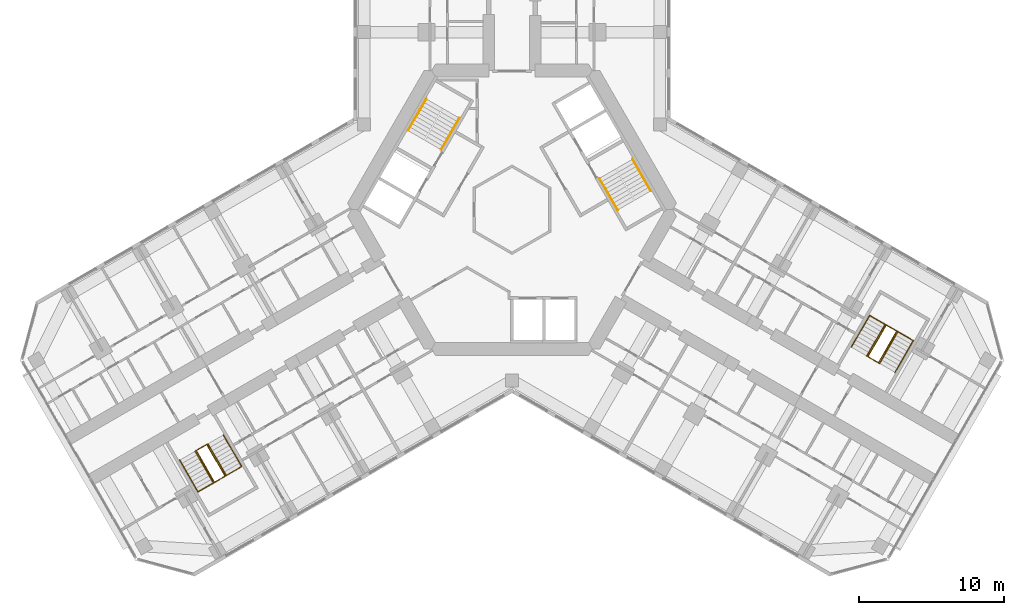
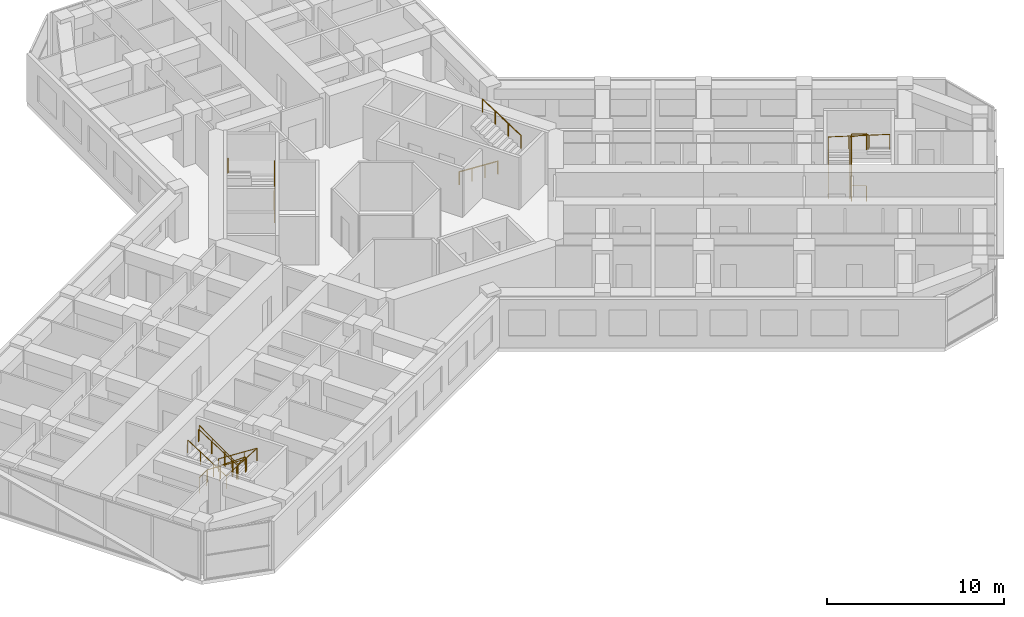
# One storey, part 19 of 19: 10 railings.
"""IFC4 building model written with IfcOpenShell, lengths in metres."""

from ifc_helpers import new_model, si_unit, direction, frame, origin, origin_2d, place, context, subcontext, project, spatial, circle, extrude, material, type_object, element, save


model = new_model("IFC4")

# Units and contexts
model_context = context("Model", 3, precision=1e-05, world=origin(), true_north=direction((0.0, 1.0)))
body_context = subcontext(model_context, "Body", "Model", "MODEL_VIEW")
ifc_project = project(units=[si_unit("LENGTHUNIT", "METRE"), si_unit("AREAUNIT", "SQUARE_METRE"), si_unit("VOLUMEUNIT", "CUBIC_METRE"), si_unit("PLANEANGLEUNIT", "RADIAN"), si_unit("MASSUNIT", "GRAM", prefix="KILO")], contexts=[model_context])

# Site, building, storey
site_placement = place(None, origin())
site = spatial("IfcSite", under=ifc_project, at=site_placement, CompositionType="ELEMENT")
building_placement = place(site_placement, origin())
building = spatial("IfcBuilding", under=site, at=building_placement, Name="Kosmar Iwan School Tower", CompositionType="ELEMENT")
storey_placement = place(building_placement, frame((0.0, 0.0, 141.800048828125)))
storey = spatial("IfcBuildingStorey", under=building, at=storey_placement, Name="L35", CompositionType="ELEMENT", Elevation=141.800048828125)

# Railings
ifc_material_1 = material(Name="Black steel", Category="steel")
railing_type_1 = type_object("IfcRailingType", Name="Stair handrail 900", PredefinedType="HANDRAIL", material=ifc_material_1)
railing_1_placement = place(storey_placement, frame((-4.89453125, 4.142333984375, 0.179931640625)))
element("IfcRailing", 1, at=railing_1_placement, inside=storey, type_object=railing_type_1, Name="Handrail ST2 flight 1", PredefinedType="HANDRAIL", context=body_context, shape_type="SweptSolid", body=[
    extrude(circle(Radius=0.02392578125, at=origin_2d()), frame((0.0, 0.0, 0.8759765625), z_axis=(0.420584145978, 0.728463801763, 0.540785970299), x_axis=(-0.866022637375, 0.500004791531, 0.0)), (0.0, 0.0, 1.0), 2.995849609375),
    extrude(circle(Radius=0.02099609375, at=origin_2d()), origin(), (0.0, 0.0, 1.0), 0.851806640625),
    extrude(circle(Radius=0.02099609375, at=origin_2d()), frame((0.419921875, 0.7275390625, 0.5400390625)), (0.0, 0.0, 1.0), 0.851806640625),
    extrude(circle(Radius=0.02099609375, at=origin_2d()), frame((0.840087890625, 1.454833984375, 1.080078125)), (0.0, 0.0, 1.0), 0.851806640625),
    extrude(circle(Radius=0.02099609375, at=origin_2d()), frame((1.260009765625, 2.182373046875, 1.6201171875)), (0.0, 0.0, 1.0), 0.851806640625),
])
railing_2_placement = place(storey_placement, frame((-5.912353515625, 7.6396484375, 1.97998046875)))
element("IfcRailing", 2, at=railing_2_placement, inside=storey, type_object=railing_type_1, Name="Handrail ST2 flight 2", PredefinedType="HANDRAIL", context=body_context, shape_type="SweptSolid", body=[
    extrude(circle(Radius=0.02392578125, at=origin_2d()), frame((0.0, 0.0, 0.8759765625), z_axis=(-0.42060268101, -0.72849590497, 0.54072830624), x_axis=(0.866022637375, -0.500004791531, 0.0)), (0.0, 0.0, 1.0), 2.99560546875),
    extrude(circle(Radius=0.02099609375, at=origin_2d()), origin(), (0.0, 0.0, 1.0), 0.851806640625),
    extrude(circle(Radius=0.02099609375, at=origin_2d()), frame((-0.419921875, -0.7275390625, 0.5400390625)), (0.0, 0.0, 1.0), 0.851806640625),
    extrude(circle(Radius=0.02099609375, at=origin_2d()), frame((-0.840087890625, -1.454833984375, 1.079833984375)), (0.0, 0.0, 1.0), 0.851806640625),
    extrude(circle(Radius=0.02099609375, at=origin_2d()), frame((-1.260009765625, -2.182373046875, 1.619873046875)), (0.0, 0.0, 1.0), 0.851806640625),
])
railing_3_placement = place(storey_placement, frame((6.03466796875, 2.167724609375, 0.179931640625)))
element("IfcRailing", 3, at=railing_3_placement, inside=storey, type_object=railing_type_1, Name="Handrail ST1 flight 1", PredefinedType="HANDRAIL", context=body_context, shape_type="SweptSolid", body=[
    extrude(circle(Radius=0.02392578125, at=origin_2d()), frame((0.0, 0.0, 0.8759765625), z_axis=(0.420584145978, -0.728463801763, 0.540785970299), x_axis=(0.866022637375, 0.500004791531, 0.0)), (0.0, 0.0, 1.0), 2.995849609375),
    extrude(circle(Radius=0.02099609375, at=origin_2d()), origin(), (0.0, 0.0, 1.0), 0.851806640625),
    extrude(circle(Radius=0.02099609375, at=origin_2d()), frame((0.419921875, -0.7275390625, 0.5400390625)), (0.0, 0.0, 1.0), 0.851806640625),
    extrude(circle(Radius=0.02099609375, at=origin_2d()), frame((0.840087890625, -1.454833984375, 1.080078125)), (0.0, 0.0, 1.0), 0.851806640625),
    extrude(circle(Radius=0.02099609375, at=origin_2d()), frame((1.260009765625, -2.182373046875, 1.6201171875)), (0.0, 0.0, 1.0), 0.851806640625),
])
railing_4_placement = place(storey_placement, frame((9.572265625, 1.30029296875, 1.97998046875)))
element("IfcRailing", 4, at=railing_4_placement, inside=storey, type_object=railing_type_1, Name="Handrail ST1 flight 2", PredefinedType="HANDRAIL", context=body_context, shape_type="SweptSolid", body=[
    extrude(circle(Radius=0.02392578125, at=origin_2d()), frame((0.0, 0.0, 0.8759765625), z_axis=(-0.42060268101, 0.72849590497, 0.54072830624), x_axis=(-0.866022637375, -0.500004791531, 0.0)), (0.0, 0.0, 1.0), 2.99560546875),
    extrude(circle(Radius=0.02099609375, at=origin_2d()), origin(), (0.0, 0.0, 1.0), 0.851806640625),
    extrude(circle(Radius=0.02099609375, at=origin_2d()), frame((-0.419921875, 0.7275390625, 0.5400390625)), (0.0, 0.0, 1.0), 0.851806640625),
    extrude(circle(Radius=0.02099609375, at=origin_2d()), frame((-0.840087890625, 1.454833984375, 1.079833984375)), (0.0, 0.0, 1.0), 0.851806640625),
    extrude(circle(Radius=0.02099609375, at=origin_2d()), frame((-1.260009765625, 2.182373046875, 1.619873046875)), (0.0, 0.0, 1.0), 0.851806640625),
])
railing_5_placement = place(storey_placement, frame((-19.9091796875, -15.5361328125, 0.179931640625)))
element("IfcRailing", 5, at=railing_5_placement, inside=storey, type_object=railing_type_1, Name="Handrail stair WS2 L35 wall side", PredefinedType="HANDRAIL", context=body_context, shape_type="SweptSolid", body=[
    extrude(circle(Radius=0.02392578125, at=origin_2d()), frame((0.0, 0.0, 0.8759765625), z_axis=(0.420517065106, -0.728488768407, 0.540804504659), x_axis=(0.866064587494, 0.499932125682, 0.0)), (0.0, 0.0, 1.0), 2.995849609375),
    extrude(circle(Radius=0.02392578125, at=origin_2d()), frame((1.259765625, -2.182373046875, 2.49609375), z_axis=(-0.864864352349, -0.499342858003, 0.051636829851), x_axis=(0.500009906705, -0.86601968407, 0.0)), (0.0, 0.0, 1.0), 3.484619140625),
    extrude(circle(Radius=0.02392578125, at=origin_2d()), frame((-1.75390625, -3.92236328125, 2.67578125), z_axis=(-0.42060268101, 0.72849590497, 0.54072830624), x_axis=(-0.866022637375, -0.500004791531, 0.0)), (0.0, 0.0, 1.0), 2.99560546875),
    extrude(circle(Radius=0.02099609375, at=origin_2d()), origin(), (0.0, 0.0, 1.0), 0.851806640625),
    extrude(circle(Radius=0.02099609375, at=origin_2d()), frame((0.419921875, -0.7275390625, 0.5400390625)), (0.0, 0.0, 1.0), 0.851806640625),
    extrude(circle(Radius=0.02099609375, at=origin_2d()), frame((0.83984375, -1.454833984375, 1.080078125)), (0.0, 0.0, 1.0), 0.851806640625),
    extrude(circle(Radius=0.02099609375, at=origin_2d()), frame((1.259765625, -2.182373046875, 1.6201171875)), (0.0, 0.0, 1.0), 0.851806640625),
    extrude(circle(Radius=0.02099609375, at=origin_2d()), frame((0.255126953125, -2.762451171875, 1.68017578125)), (0.0, 0.0, 1.0), 0.851806640625),
    extrude(circle(Radius=0.02099609375, at=origin_2d()), frame((-0.749267578125, -3.34228515625, 1.739990234375)), (0.0, 0.0, 1.0), 0.851806640625),
    extrude(circle(Radius=0.02099609375, at=origin_2d()), frame((-1.75390625, -3.92236328125, 1.800048828125)), (0.0, 0.0, 1.0), 0.851806640625),
    extrude(circle(Radius=0.02099609375, at=origin_2d()), frame((-2.173828125, -3.19482421875, 2.340087890625)), (0.0, 0.0, 1.0), 0.851806640625),
    extrude(circle(Radius=0.02099609375, at=origin_2d()), frame((-2.593994140625, -2.467529296875, 2.8798828125)), (0.0, 0.0, 1.0), 0.851806640625),
    extrude(circle(Radius=0.02099609375, at=origin_2d()), frame((-3.013916015625, -1.739990234375, 3.419921875)), (0.0, 0.0, 1.0), 0.851806640625),
])
railing_6_placement = place(storey_placement, frame((-20.974609375, -16.151123046875, 0.179931640625)))
element("IfcRailing", 6, at=railing_6_placement, inside=storey, type_object=railing_type_1, Name="Handrail stair WS2 L35 well side", PredefinedType="HANDRAIL", context=body_context, shape_type="SweptSolid", body=[
    extrude(circle(Radius=0.02392578125, at=origin_2d()), frame((0.0, 0.0, 0.8759765625), z_axis=(0.420584145978, -0.728463801763, 0.540785970299), x_axis=(0.866022637375, 0.500004791531, 0.0)), (0.0, 0.0, 1.0), 2.995849609375),
    extrude(circle(Radius=0.02392578125, at=origin_2d()), frame((1.260009765625, -2.182373046875, 2.49609375), z_axis=(-0.852841519511, -0.492422867401, 0.173726976197), x_axis=(0.500026340207, -0.866010195725, 0.0)), (0.0, 0.0, 1.0), 1.03564453125),
    extrude(circle(Radius=0.02392578125, at=origin_2d()), frame((0.376708984375, -2.6923828125, 2.67578125), z_axis=(-0.42060268101, 0.72849590497, 0.54072830624), x_axis=(-0.866022637375, -0.500004791531, 0.0)), (0.0, 0.0, 1.0), 2.99560546875),
    extrude(circle(Radius=0.02099609375, at=origin_2d()), origin(), (0.0, 0.0, 1.0), 0.851806640625),
    extrude(circle(Radius=0.02099609375, at=origin_2d()), frame((0.419921875, -0.7275390625, 0.5400390625)), (0.0, 0.0, 1.0), 0.851806640625),
    extrude(circle(Radius=0.02099609375, at=origin_2d()), frame((0.840087890625, -1.454833984375, 1.080078125)), (0.0, 0.0, 1.0), 0.851806640625),
    extrude(circle(Radius=0.02099609375, at=origin_2d()), frame((1.260009765625, -2.182373046875, 1.6201171875)), (0.0, 0.0, 1.0), 0.851806640625),
    extrude(circle(Radius=0.02099609375, at=origin_2d()), frame((0.376708984375, -2.6923828125, 1.800048828125)), (0.0, 0.0, 1.0), 0.851806640625),
    extrude(circle(Radius=0.02099609375, at=origin_2d()), frame((-0.043212890625, -1.96484375, 2.340087890625)), (0.0, 0.0, 1.0), 0.851806640625),
    extrude(circle(Radius=0.02099609375, at=origin_2d()), frame((-0.46337890625, -1.237548828125, 2.8798828125)), (0.0, 0.0, 1.0), 0.851806640625),
    extrude(circle(Radius=0.02099609375, at=origin_2d()), frame((-0.88330078125, -0.510009765625, 3.419921875)), (0.0, 0.0, 1.0), 0.851806640625),
])
railing_7_placement = place(storey_placement, frame((23.4091796875, -9.473876953125, 0.179931640625)))
element("IfcRailing", 7, at=railing_7_placement, inside=storey, type_object=railing_type_1, Name="Handrail stair WS3 L35 wall side", PredefinedType="HANDRAIL", context=body_context, shape_type="SweptSolid", body=[
    extrude(circle(Radius=0.02392578125, at=origin_2d()), frame((0.0, 0.0, 0.8759765625), z_axis=(0.420584145978, 0.728463801763, 0.540785970299), x_axis=(-0.866022637375, 0.500004791531, 0.0)), (0.0, 0.0, 1.0), 2.995849609375),
    extrude(circle(Radius=0.02392578125, at=origin_2d()), frame((1.260009765625, 2.182373046875, 2.49609375), z_axis=(0.864882007433, -0.499312601618, 0.051633701051), x_axis=(0.499979528911, 0.866037222451, 0.0)), (0.0, 0.0, 1.0), 3.48486328125),
    extrude(circle(Radius=0.02392578125, at=origin_2d()), frame((4.27392578125, 0.4423828125, 2.67578125), z_axis=(-0.42060268101, -0.72849590497, 0.54072830624), x_axis=(0.866022637375, -0.500004791531, 0.0)), (0.0, 0.0, 1.0), 2.99560546875),
    extrude(circle(Radius=0.02099609375, at=origin_2d()), origin(), (0.0, 0.0, 1.0), 0.851806640625),
    extrude(circle(Radius=0.02099609375, at=origin_2d()), frame((0.419921875, 0.7275390625, 0.5400390625)), (0.0, 0.0, 1.0), 0.851806640625),
    extrude(circle(Radius=0.02099609375, at=origin_2d()), frame((0.840087890625, 1.454833984375, 1.080078125)), (0.0, 0.0, 1.0), 0.851806640625),
    extrude(circle(Radius=0.02099609375, at=origin_2d()), frame((1.260009765625, 2.182373046875, 1.6201171875)), (0.0, 0.0, 1.0), 0.851806640625),
    extrude(circle(Radius=0.02099609375, at=origin_2d()), frame((2.2646484375, 1.602294921875, 1.68017578125)), (0.0, 0.0, 1.0), 0.851806640625),
    extrude(circle(Radius=0.02099609375, at=origin_2d()), frame((3.269287109375, 1.0224609375, 1.739990234375)), (0.0, 0.0, 1.0), 0.851806640625),
    extrude(circle(Radius=0.02099609375, at=origin_2d()), frame((4.27392578125, 0.4423828125, 1.800048828125)), (0.0, 0.0, 1.0), 0.851806640625),
    extrude(circle(Radius=0.02099609375, at=origin_2d()), frame((3.85400390625, -0.28515625, 2.340087890625)), (0.0, 0.0, 1.0), 0.851806640625),
    extrude(circle(Radius=0.02099609375, at=origin_2d()), frame((3.433837890625, -1.012451171875, 2.8798828125)), (0.0, 0.0, 1.0), 0.851806640625),
    extrude(circle(Radius=0.02099609375, at=origin_2d()), frame((3.013916015625, -1.739990234375, 3.419921875)), (0.0, 0.0, 1.0), 0.851806640625),
])
railing_8_placement = place(storey_placement, frame((24.474609375, -10.0888671875, 0.179931640625)))
element("IfcRailing", 8, at=railing_8_placement, inside=storey, type_object=railing_type_1, Name="Handrail stair WS3 L35 well side", PredefinedType="HANDRAIL", context=body_context, shape_type="SweptSolid", body=[
    extrude(circle(Radius=0.02392578125, at=origin_2d()), frame((0.0, 0.0, 0.8759765625), z_axis=(0.420584145978, 0.728463801763, 0.540785970299), x_axis=(-0.866022637375, 0.500004791531, 0.0)), (0.0, 0.0, 1.0), 2.995849609375),
    extrude(circle(Radius=0.02392578125, at=origin_2d()), frame((1.260009765625, 2.182373046875, 2.49609375), z_axis=(0.852841519511, -0.492422867401, 0.173726976197), x_axis=(0.500026340207, 0.866010195725, 0.0)), (0.0, 0.0, 1.0), 1.03564453125),
    extrude(circle(Radius=0.02392578125, at=origin_2d()), frame((2.143310546875, 1.67236328125, 2.67578125), z_axis=(-0.42060268101, -0.72849590497, 0.54072830624), x_axis=(0.866022637375, -0.500004791531, 0.0)), (0.0, 0.0, 1.0), 2.99560546875),
    extrude(circle(Radius=0.02099609375, at=origin_2d()), origin(), (0.0, 0.0, 1.0), 0.851806640625),
    extrude(circle(Radius=0.02099609375, at=origin_2d()), frame((0.419921875, 0.7275390625, 0.5400390625)), (0.0, 0.0, 1.0), 0.851806640625),
    extrude(circle(Radius=0.02099609375, at=origin_2d()), frame((0.840087890625, 1.454833984375, 1.080078125)), (0.0, 0.0, 1.0), 0.851806640625),
    extrude(circle(Radius=0.02099609375, at=origin_2d()), frame((1.260009765625, 2.182373046875, 1.6201171875)), (0.0, 0.0, 1.0), 0.851806640625),
    extrude(circle(Radius=0.02099609375, at=origin_2d()), frame((2.143310546875, 1.67236328125, 1.800048828125)), (0.0, 0.0, 1.0), 0.851806640625),
    extrude(circle(Radius=0.02099609375, at=origin_2d()), frame((1.723388671875, 0.94482421875, 2.340087890625)), (0.0, 0.0, 1.0), 0.851806640625),
    extrude(circle(Radius=0.02099609375, at=origin_2d()), frame((1.30322265625, 0.217529296875, 2.8798828125)), (0.0, 0.0, 1.0), 0.851806640625),
    extrude(circle(Radius=0.02099609375, at=origin_2d()), frame((0.88330078125, -0.510009765625, 3.419921875)), (0.0, 0.0, 1.0), 0.851806640625),
])
ifc_material_2 = material(Name="Black steel", Category="steel")
railing_type_2 = type_object("IfcRailingType", Name="Stair well guard 1100", PredefinedType="GUARDRAIL", material=ifc_material_2)
railing_9_placement = place(storey_placement, frame((-21.780029296875, -16.6162109375, 0.0)))
element("IfcRailing", 9, at=railing_9_placement, inside=storey, type_object=railing_type_2, Name="Stair WS2 L35 well guard", PredefinedType="GUARDRAIL", context=body_context, shape_type="SweptSolid", body=[
    extrude(circle(Radius=0.02392578125, at=origin_2d()), frame((0.0, 0.0, 1.076171875), z_axis=(0.865962960534, 0.500108139288, 0.0), x_axis=(-0.500108139288, 0.865962960534, 0.0)), (0.0, 0.0, 1.0), 0.840087890625),
    extrude(circle(Radius=0.02392578125, at=origin_2d()), frame((0.7275390625, 0.420166015625, 1.076171875), z_axis=(0.40686665399, -0.704704712268, 0.58124933925), x_axis=(0.866022637375, 0.500004791531, 0.0)), (0.0, 0.0, 1.0), 3.096923828125),
    extrude(circle(Radius=0.02392578125, at=origin_2d()), frame((1.987548828125, -1.76220703125, 2.8759765625), z_axis=(-0.865962960534, -0.500108139288, 0.0), x_axis=(0.500108139288, -0.865962960534, 0.0)), (0.0, 0.0, 1.0), 0.840087890625),
    extrude(circle(Radius=0.02392578125, at=origin_2d()), frame((1.260009765625, -2.182373046875, 2.8759765625), z_axis=(-0.406885297737, 0.704737003773, 0.581197135229), x_axis=(-0.866022637375, -0.500004791531, 0.0)), (0.0, 0.0, 1.0), 3.0966796875),
    extrude(circle(Radius=0.02099609375, at=origin_2d()), origin(), (0.0, 0.0, 1.0), 1.052001953125),
    extrude(circle(Radius=0.02099609375, at=origin_2d()), frame((0.7275390625, 0.420166015625, 0.0)), (0.0, 0.0, 1.0), 1.052001953125),
    extrude(circle(Radius=0.02099609375, at=origin_2d()), frame((1.1474609375, -0.307373046875, 0.60009765625)), (0.0, 0.0, 1.0), 1.052001953125),
    extrude(circle(Radius=0.02099609375, at=origin_2d()), frame((1.567626953125, -1.03466796875, 1.199951171875)), (0.0, 0.0, 1.0), 1.052001953125),
    extrude(circle(Radius=0.02099609375, at=origin_2d()), frame((1.987548828125, -1.76220703125, 1.800048828125)), (0.0, 0.0, 1.0), 1.052001953125),
    extrude(circle(Radius=0.02099609375, at=origin_2d()), frame((1.260009765625, -2.182373046875, 1.800048828125)), (0.0, 0.0, 1.0), 1.052001953125),
    extrude(circle(Radius=0.02099609375, at=origin_2d()), frame((0.840087890625, -1.454833984375, 2.39990234375)), (0.0, 0.0, 1.0), 1.052001953125),
    extrude(circle(Radius=0.02099609375, at=origin_2d()), frame((0.419921875, -0.7275390625, 3.0)), (0.0, 0.0, 1.0), 1.052001953125),
    extrude(circle(Radius=0.02099609375, at=origin_2d()), frame((0.0, 0.0, 3.599853515625)), (0.0, 0.0, 1.0), 1.052001953125),
])
railing_10_placement = place(storey_placement, frame((25.280029296875, -10.553955078125, 0.0)))
element("IfcRailing", 10, at=railing_10_placement, inside=storey, type_object=railing_type_2, Name="Stair WS3 L35 well guard", PredefinedType="GUARDRAIL", context=body_context, shape_type="SweptSolid", body=[
    extrude(circle(Radius=0.02392578125, at=origin_2d()), frame((0.0, 0.0, 1.076171875), z_axis=(-0.865962960534, 0.500108139288, 0.0), x_axis=(-0.500108139288, -0.865962960534, 0.0)), (0.0, 0.0, 1.0), 0.840087890625),
    extrude(circle(Radius=0.02392578125, at=origin_2d()), frame((-0.7275390625, 0.420166015625, 1.076171875), z_axis=(0.40686665399, 0.704704712268, 0.58124933925), x_axis=(-0.866022637375, 0.500004791531, 0.0)), (0.0, 0.0, 1.0), 3.096923828125),
    extrude(circle(Radius=0.02392578125, at=origin_2d()), frame((0.532470703125, 2.6025390625, 2.8759765625), z_axis=(0.865890253765, -0.500234013672, 0.0), x_axis=(0.500234013672, 0.865890253765, 0.0)), (0.0, 0.0, 1.0), 0.83984375),
    extrude(circle(Radius=0.02392578125, at=origin_2d()), frame((1.259765625, 2.182373046875, 2.8759765625), z_axis=(-0.406819508263, -0.704759609372, 0.581215778084), x_axis=(0.866064587494, -0.499932125682, 0.0)), (0.0, 0.0, 1.0), 3.0966796875),
    extrude(circle(Radius=0.02099609375, at=origin_2d()), origin(), (0.0, 0.0, 1.0), 1.052001953125),
    extrude(circle(Radius=0.02099609375, at=origin_2d()), frame((-0.7275390625, 0.420166015625, 0.0)), (0.0, 0.0, 1.0), 1.052001953125),
    extrude(circle(Radius=0.02099609375, at=origin_2d()), frame((-0.3076171875, 1.147705078125, 0.60009765625)), (0.0, 0.0, 1.0), 1.052001953125),
    extrude(circle(Radius=0.02099609375, at=origin_2d()), frame((0.112548828125, 1.875, 1.199951171875)), (0.0, 0.0, 1.0), 1.052001953125),
    extrude(circle(Radius=0.02099609375, at=origin_2d()), frame((0.532470703125, 2.6025390625, 1.800048828125)), (0.0, 0.0, 1.0), 1.052001953125),
    extrude(circle(Radius=0.02099609375, at=origin_2d()), frame((1.259765625, 2.182373046875, 1.800048828125)), (0.0, 0.0, 1.0), 1.052001953125),
    extrude(circle(Radius=0.02099609375, at=origin_2d()), frame((0.83984375, 1.454833984375, 2.39990234375)), (0.0, 0.0, 1.0), 1.052001953125),
    extrude(circle(Radius=0.02099609375, at=origin_2d()), frame((0.419921875, 0.7275390625, 3.0)), (0.0, 0.0, 1.0), 1.052001953125),
    extrude(circle(Radius=0.02099609375, at=origin_2d()), frame((0.0, 0.0, 3.599853515625)), (0.0, 0.0, 1.0), 1.052001953125),
])

save(model, "model.ifc")
